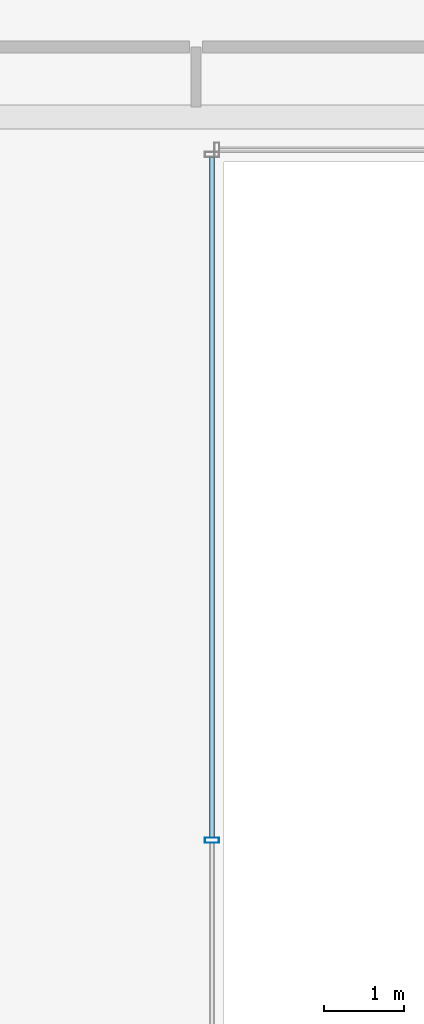
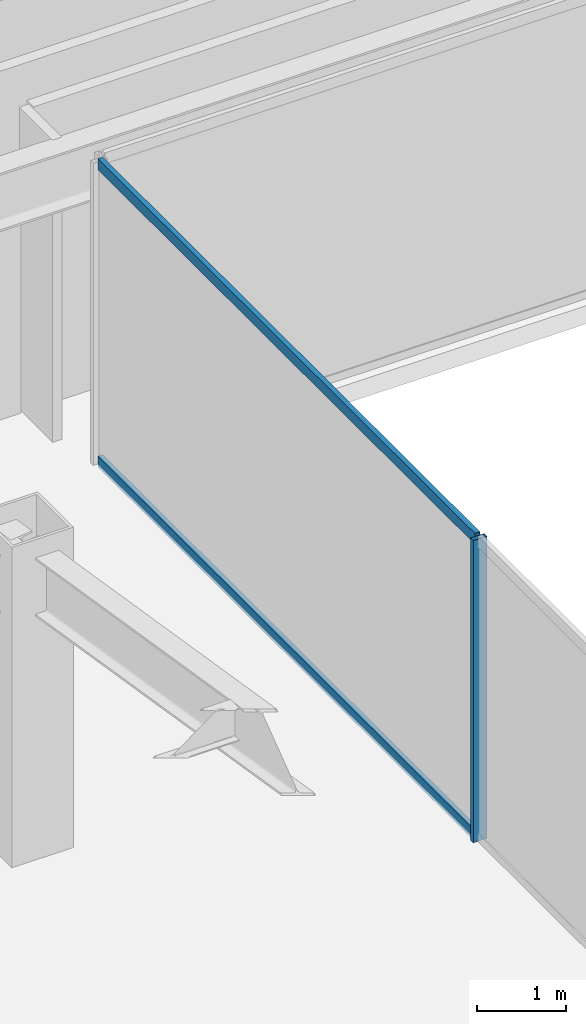
# One storey, part 14 of 47: 3 members, 1 element without a shape of its own.
"""IFC4 building model written with IfcOpenShell, lengths in metres."""

import ifcopenshell
import ifcopenshell.guid

model = None  # the IFC model being written
_history = None  # IfcOwnerHistory: only IFC2X3 demands one
_inside = {}  # id of a spatial element -> (the spatial element, [elements in it])
_under = {}  # id of a project, library or spatial element -> (it, [spatial elements below it])
_declared = {}  # id of a project -> (the project, [libraries it declares])
_typed = {}  # id of a type object -> (the type object, [elements of that type])
_made_of = {}  # id of a material, layer set ... -> (it, [elements and type objects made of it])


def new_model(schema):
    """Start an empty IFC model of exactly this schema.

    Asked for "IFC4X3", IfcOpenShell would pick the latest addendum, in which some entities
    have other attributes; the version numbers below select the first issue.
    IFC2X3 requires an IfcOwnerHistory on every rooted entity: one is made here for all.
    """
    global model, _history
    if schema == "IFC4X3":
        model = ifcopenshell.file(schema_version=(4, 3, 0, 0))
    else:
        model = ifcopenshell.file(schema=schema)
    _inside.clear()
    _under.clear()
    _declared.clear()
    _typed.clear()
    _made_of.clear()
    _history = None
    if model.schema == "IFC2X3":
        org = make("IfcOrganization", Name="unknown")
        user = make(
            "IfcPersonAndOrganization",
            ThePerson=make("IfcPerson", FamilyName="unknown"),
            TheOrganization=org,
        )
        app = make(
            "IfcApplication",
            ApplicationDeveloper=org,
            Version="unknown",
            ApplicationFullName="unknown",
            ApplicationIdentifier="unknown",
        )
        _history = make(
            "IfcOwnerHistory",
            OwningUser=user,
            OwningApplication=app,
            ChangeAction="ADDED",
            CreationDate=0,
        )
    return model


def make(cls, **values):
    """One entity of the class cls with the attributes given. An attribute that is None is left unset."""
    return model.create_entity(
        cls, **{name: value for name, value in values.items() if value is not None}
    )


def rooted(cls, **values):
    """An entity with a GlobalId (a new one), such as an element, a storey or a relation."""
    return make(cls, GlobalId=ifcopenshell.guid.new(), OwnerHistory=_history, **values)


def si_unit(unit_type, name, prefix=None):
    """IfcSIUnit, for example si_unit("LENGTHUNIT", "METRE", prefix="MILLI")."""
    return make("IfcSIUnit", UnitType=unit_type, Prefix=prefix, Name=name)


def assignment(units):
    """IfcUnitAssignment: the units of a project."""
    return None if units is None else make("IfcUnitAssignment", Units=units)


def point(xyz):
    """IfcCartesianPoint."""
    return None if xyz is None else make("IfcCartesianPoint", Coordinates=xyz)


def direction(xyz):
    """IfcDirection."""
    return None if xyz is None else make("IfcDirection", DirectionRatios=xyz)


def frame(location, z_axis=None, x_axis=None):
    """IfcAxis2Placement3D, a coordinate frame: its origin and axes. An axis left out is left unset."""
    return make(
        "IfcAxis2Placement3D",
        Location=point(location),
        Axis=direction(z_axis),
        RefDirection=direction(x_axis),
    )


def frame_2d(location, x_axis=None):
    """IfcAxis2Placement2D, a coordinate frame in the plane: its origin and x axis."""
    return make(
        "IfcAxis2Placement2D", Location=point(location), RefDirection=direction(x_axis)
    )


def origin():
    """The frame at (0, 0, 0) with its axes left unset."""
    return frame((0.0, 0.0, 0.0))


def origin_2d():
    """The frame at (0, 0) in the plane with its x axis left unset."""
    return frame_2d((0.0, 0.0))


def place(relative_to, where):
    """IfcLocalPlacement: puts the frame where relative to a parent placement (None: the world)."""
    return make(
        "IfcLocalPlacement", PlacementRelTo=relative_to, RelativePlacement=where
    )


def context(
    kind, dimensions, precision=None, world=None, true_north=None, identifier=None
):
    """IfcGeometricRepresentationContext, for example the 3D "Model" context."""
    return make(
        "IfcGeometricRepresentationContext",
        ContextIdentifier=identifier,
        ContextType=kind,
        CoordinateSpaceDimension=dimensions,
        Precision=precision,
        WorldCoordinateSystem=world,
        TrueNorth=true_north,
    )


def subcontext(parent, identifier, kind, view, scale=None):
    """IfcGeometricRepresentationSubContext, for example "Body" below "Model"."""
    return make(
        "IfcGeometricRepresentationSubContext",
        ContextIdentifier=identifier,
        ContextType=kind,
        ParentContext=parent,
        TargetScale=scale,
        TargetView=view,
    )


def project(units=None, contexts=None):
    """IfcProject with its units and contexts."""
    return rooted(
        "IfcProject",
        Name="project",
        RepresentationContexts=contexts,
        UnitsInContext=assignment(units),
    )


def spatial(cls, under=None, at=None, **own):
    """A site, building, storey or space (cls), placed at a placement, below another one or the project."""
    s = rooted(cls, ObjectPlacement=at, **own)
    if under is not None:
        _under.setdefault(under.id(), (under, []))[1].append(s)
    return s


def profile(cls, at=None, kind="AREA", **sizes):
    """A parametric profile (cls). Its sizes go by their IFC names, for example OverallWidth=200.0."""
    return make(cls, ProfileType=kind, Position=at, **sizes)


def hollow_rectangle(**sizes):
    """IfcRectangleHollowProfileDef."""
    return profile("IfcRectangleHollowProfileDef", **sizes)


def extrude(swept, where, along, depth):
    """IfcExtrudedAreaSolid: the profile swept, set in the frame where, extruded along a direction by depth."""
    return make(
        "IfcExtrudedAreaSolid",
        SweptArea=swept,
        Position=where,
        ExtrudedDirection=direction(along),
        Depth=depth,
    )


def shape(context_of_items, identifier, shape_type, items):
    """IfcShapeRepresentation: the items that make up one representation, for example the "Body"."""
    return make(
        "IfcShapeRepresentation",
        ContextOfItems=context_of_items,
        RepresentationIdentifier=identifier,
        RepresentationType=shape_type,
        Items=items,
    )


def material(Name=None, Category=None):
    """IfcMaterial."""
    return make("IfcMaterial", Name=Name, Category=Category)


def material_profile(
    of_material, cross_section, Name=None, Category=None, Priority=None
):
    """IfcMaterialProfile: a cross section and its material."""
    return make(
        "IfcMaterialProfile",
        Name=Name,
        Material=of_material,
        Profile=cross_section,
        Priority=Priority,
        Category=Category,
    )


def profile_set(profiles, Name=None, composite=None):
    """IfcMaterialProfileSet."""
    return make(
        "IfcMaterialProfileSet",
        Name=Name,
        MaterialProfiles=profiles,
        CompositeProfile=composite,
    )


def made_of(thing, what):
    """Note that an element or type object is made of a material, layer set ...; save() writes the relation."""
    if what is not None:
        _made_of.setdefault(what.id(), (what, []))[1].append(thing)
    return thing


def type_object(cls, material=None, **own):
    """A type object (cls), such as IfcWallType, which elements share."""
    return made_of(rooted(cls, **own), material)


def element(
    cls,
    number,
    at=None,
    inside=None,
    cuts=None,
    type_object=None,
    material=None,
    context=None,
    identifier="Body",
    shape_type=None,
    held_by="IfcProductDefinitionShape",
    body=None,
    shapes=None,
    **own,
):
    """One element of the class cls, such as IfcWall. Its Tag is "e" and its number.

    at: its placement. inside: the storey or other place that contains it. cuts: it is an
    opening in that element (IfcRelVoidsElement). A single representation is given by context,
    identifier, shape_type and body (its items); several are given by shapes. held_by: the class
    of the entity that holds the representations. save() writes the other relations.
    """
    e = rooted(cls, Tag="e%d" % number, ObjectPlacement=at, **own)
    if body is not None:
        shapes = [shape(context, identifier, shape_type, body)]
    if shapes is not None:
        e.Representation = make(held_by, Representations=shapes)
    if inside is not None:
        _inside.setdefault(inside.id(), (inside, []))[1].append(e)
    if cuts is not None:
        rooted(
            "IfcRelVoidsElement", RelatingBuildingElement=cuts, RelatedOpeningElement=e
        )
    if type_object is not None:
        _typed.setdefault(type_object.id(), (type_object, []))[1].append(e)
    return made_of(e, material)


def aggregate(whole, parts):
    """IfcRelAggregates: a whole, such as a stair, and the parts it consists of."""
    return rooted("IfcRelAggregates", RelatingObject=whole, RelatedObjects=parts)


def save(model, path):
    """Write the relations noted so far, then the file.

    IfcRelAggregates (storeys below a building ...), IfcRelContainedInSpatialStructure (elements
    in a storey), IfcRelDefinesByType, IfcRelAssociatesMaterial and IfcRelDeclares: one each for
    every whole, place, type object, material and project.
    """
    for whole, parts in _under.values():
        aggregate(whole, parts)
    for where, things in _inside.values():
        rooted(
            "IfcRelContainedInSpatialStructure",
            RelatedElements=things,
            RelatingStructure=where,
        )
    for kind, things in _typed.values():
        rooted("IfcRelDefinesByType", RelatedObjects=things, RelatingType=kind)
    for what, things in _made_of.values():
        rooted("IfcRelAssociatesMaterial", RelatedObjects=things, RelatingMaterial=what)
    for by, libraries in _declared.values():
        rooted("IfcRelDeclares", RelatingContext=by, RelatedDefinitions=libraries)
    model.write(path)


model = new_model("IFC4")

# Units and contexts
model_context = context("Model", 3, precision=1e-05, world=origin(), true_north=direction((0.0, 1.0)))
body_context = subcontext(model_context, "Body", "Model", "MODEL_VIEW")
ifc_project = project(units=[si_unit("LENGTHUNIT", "METRE"), si_unit("AREAUNIT", "SQUARE_METRE"), si_unit("VOLUMEUNIT", "CUBIC_METRE"), si_unit("PLANEANGLEUNIT", "RADIAN"), si_unit("MASSUNIT", "GRAM", prefix="KILO")], contexts=[model_context])

# Site, building, storey
site_placement = place(None, origin())
site = spatial("IfcSite", under=ifc_project, at=site_placement, CompositionType="ELEMENT")
building_placement = place(site_placement, origin())
building = spatial("IfcBuilding", under=site, at=building_placement, Name="Saevonmaru Cultural Tower", CompositionType="ELEMENT")
storey_placement = place(building_placement, frame((0.0, 0.0, 60.39990234375)))
storey = spatial("IfcBuildingStorey", under=building, at=storey_placement, Name="L12", CompositionType="ELEMENT", Elevation=60.39990234375)

# Curtain wall, members
ifc_material = material(Name="Satin Bronze Anodised Aluminium", Category="aluminium")
curtain_wall_type = type_object("IfcCurtainWallType", Name="CW-ATR-GLZ", PredefinedType="NOTDEFINED", material=ifc_material)
curtain_wall_placement = place(storey_placement, origin())
curtain_wall = element("IfcCurtainWall", 1, at=curtain_wall_placement, inside=storey, type_object=curtain_wall_type, Name="L12 Vertical Atrium Glazed Smoke Screen 4", PredefinedType="NOTDEFINED")
ifc_material_profile_1 = material_profile(ifc_material, hollow_rectangle(XDim=0.06494140625, YDim=0.179931640625, WallThickness=0.00390625, at=origin_2d()), Name="ALU-MULL-180x65x4")
ifc_profile_set_1 = profile_set([ifc_material_profile_1], Name="Satin Bronze Anodised Aluminium")
member_type_1 = type_object("IfcMemberType", Name="ML-CW-INT-180x65", PredefinedType="MULLION", material=ifc_profile_set_1)
member_1_placement = place(storey_placement, frame((24.050048828125, 29.4599609375, 0.0), z_axis=(0.0, 0.0, 1.0), x_axis=(0.0, -1.0, 0.0)))
member_1 = element("IfcMember", 2, at=member_1_placement, type_object=member_type_1, Name="CW-ATR-L12-4 mullion 2", PredefinedType="MULLION", context=body_context, shape_type="SweptSolid", body=[
    extrude(hollow_rectangle(XDim=0.06494140625, YDim=0.179931640625, WallThickness=0.00390625, at=origin_2d()), origin(), (0.0, 0.0, 1.0), 4.150146484375),
])
ifc_material_profile_2 = material_profile(ifc_material, hollow_rectangle(XDim=0.06494140625, YDim=0.14990234375, WallThickness=0.00390625, at=origin_2d()), Name="ALU-TRAN-150x65x4")
ifc_profile_set_2 = profile_set([ifc_material_profile_2], Name="Satin Bronze Anodised Aluminium")
member_type_2 = type_object("IfcMemberType", Name="TR-CW-INT-150x65", PredefinedType="USERDEFINED", material=ifc_profile_set_2)
member_2_placement = place(storey_placement, frame((24.050048828125, 37.9775390625, 0.03271484375), z_axis=(0.0, -1.0, 0.0), x_axis=(1.0, 0.0, 0.0)))
member_2 = element("IfcMember", 3, at=member_2_placement, type_object=member_type_2, Name="CW-ATR-L12-4 transom 1.1", ObjectType="TRANSOM", PredefinedType="USERDEFINED", context=body_context, shape_type="SweptSolid", body=[
    extrude(hollow_rectangle(XDim=0.06494140625, YDim=0.14990234375, WallThickness=0.00390625, at=origin_2d()), origin(), (0.0, 0.0, 1.0), 8.485107421875),
])
member_3_placement = place(storey_placement, frame((24.050048828125, 37.9775390625, 4.11767578125), z_axis=(0.0, -1.0, 0.0), x_axis=(1.0, 0.0, 0.0)))
member_3 = element("IfcMember", 4, at=member_3_placement, type_object=member_type_2, Name="CW-ATR-L12-4 transom 1.2", ObjectType="TRANSOM", PredefinedType="USERDEFINED", context=body_context, shape_type="SweptSolid", body=[
    extrude(hollow_rectangle(XDim=0.06494140625, YDim=0.14990234375, WallThickness=0.00390625, at=origin_2d()), origin(), (0.0, 0.0, 1.0), 8.485107421875),
])
aggregate(curtain_wall, [member_1, member_2, member_3])

save(model, "model.ifc")
